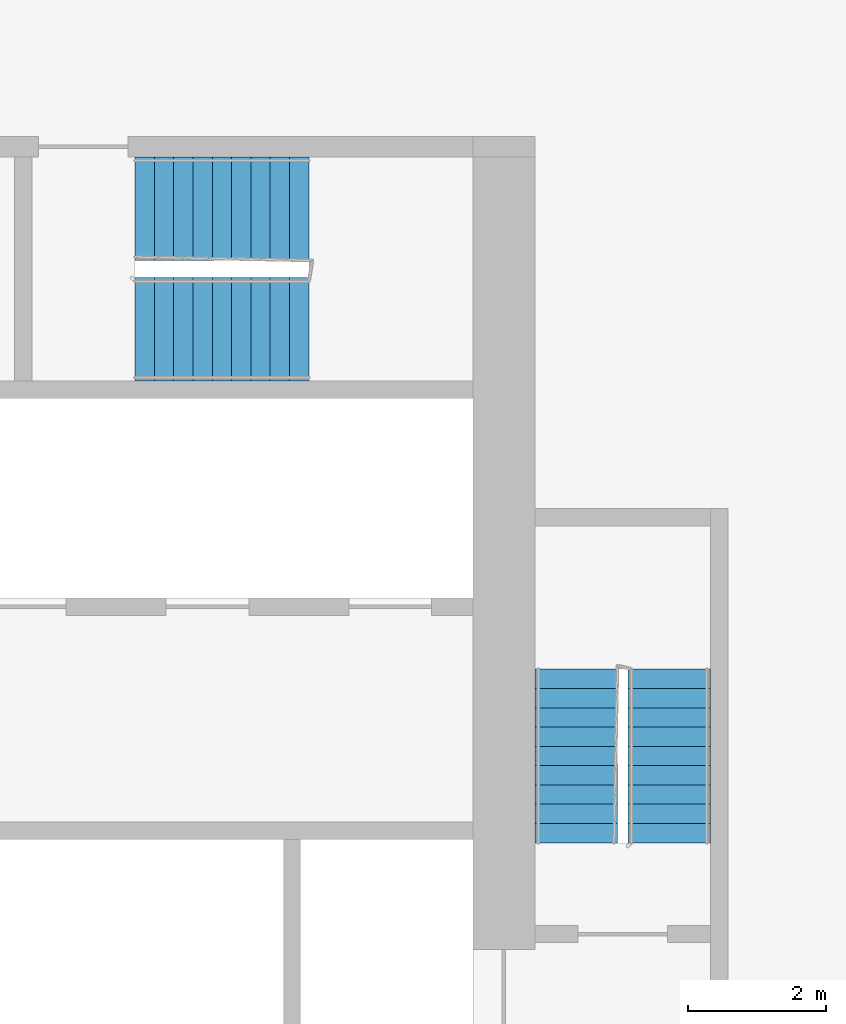
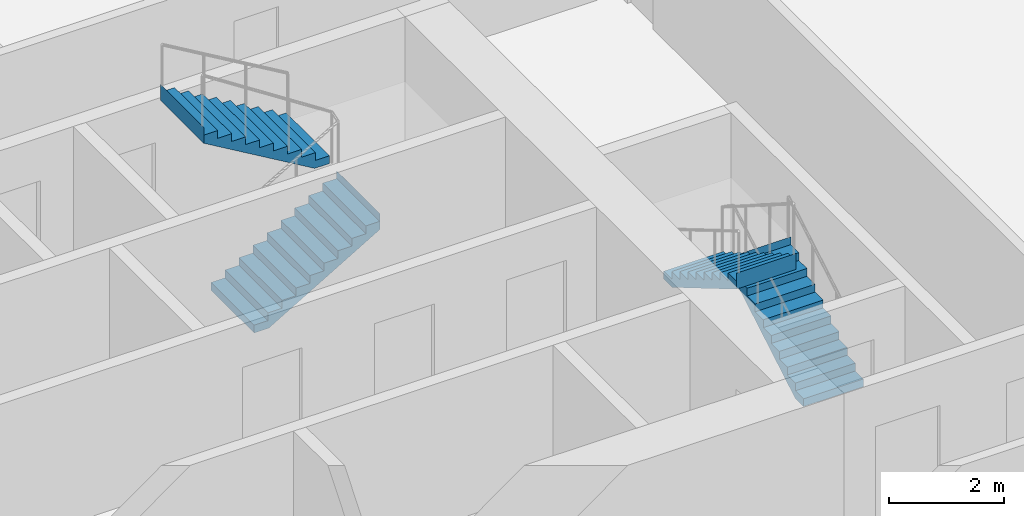
# One storey, part 11 of 13: 4 stair flights, 2 elements without a shape of their own.
"""IFC4 building model written with IfcOpenShell, lengths in metres."""

from ifc_helpers import new_model, si_unit, direction, frame, origin, place, context, subcontext, project, spatial, faceted_brep, material, type_object, element, aggregate, save


model = new_model("IFC4")

# Units and contexts
model_context = context("Model", 3, precision=1e-05, world=origin(), true_north=direction((0.0, 1.0)))
body_context = subcontext(model_context, "Body", "Model", "MODEL_VIEW")
ifc_project = project(units=[si_unit("LENGTHUNIT", "METRE"), si_unit("AREAUNIT", "SQUARE_METRE"), si_unit("VOLUMEUNIT", "CUBIC_METRE"), si_unit("PLANEANGLEUNIT", "RADIAN"), si_unit("MASSUNIT", "GRAM", prefix="KILO")], contexts=[model_context])

# Site, building, storey
site_placement = place(None, origin())
site = spatial("IfcSite", under=ifc_project, at=site_placement, CompositionType="ELEMENT")
building_placement = place(site_placement, origin())
building = spatial("IfcBuilding", under=site, at=building_placement, Name="Kajstack Hotel Tower", CompositionType="ELEMENT")
storey_placement = place(building_placement, frame((0.0, 0.0, 120.699951171875)))
storey = spatial("IfcBuildingStorey", under=building, at=storey_placement, Name="L26", CompositionType="ELEMENT", Elevation=120.699951171875)

# Stair, stair flights
ifc_material = material(Name="Concrete C40/50", Category="concrete")
stair_type_1 = type_object("IfcStairType", Name="Exit stair 1200", PredefinedType="HALF_TURN_STAIR", material=ifc_material)
stair_1_placement = place(storey_placement, origin())
stair_1 = element("IfcStair", 1, at=stair_1_placement, inside=storey, type_object=stair_type_1, Name="L26 stair E1", PredefinedType="HALF_TURN_STAIR")
stair_flight_type_1 = type_object("IfcStairFlightType", Name="Exit stair flight 1200", PredefinedType="STRAIGHT", material=ifc_material)
stair_flight_1_placement = place(storey_placement, frame((33.449951171875, 5.25, 0.0), z_axis=(0.0, 0.0, 1.0), x_axis=(0.0, 1.0, 0.0)))
stair_flight_1 = element("IfcStairFlight", 2, at=stair_flight_1_placement, type_object=stair_flight_type_1, Name="E1 flight 1", NumberOfRisers=10, NumberOfTreads=9, PredefinedType="STRAIGHT", RiserHeight=0.165, TreadLength=0.28, context=body_context, shape_type="Brep", body=[
    faceted_brep([(0.295654296875, -0.60009765625, 0.0), (2.5205078125, -0.60009765625, 1.31103515625), (2.5205078125, -0.60009765625, 1.64990234375), (2.52001953125, -0.60009765625, 1.64990234375), (2.52001953125, -0.60009765625, 1.485107421875), (2.239990234375, -0.60009765625, 1.485107421875), (2.239990234375, -0.60009765625, 1.320068359375), (1.9599609375, -0.60009765625, 1.320068359375), (1.9599609375, -0.60009765625, 1.155029296875), (1.679931640625, -0.60009765625, 1.155029296875), (1.679931640625, -0.60009765625, 0.989990234375), (1.39990234375, -0.60009765625, 0.989990234375), (1.39990234375, -0.60009765625, 0.824951171875), (1.1201171875, -0.60009765625, 0.824951171875), (1.1201171875, -0.60009765625, 0.659912109375), (0.840087890625, -0.60009765625, 0.659912109375), (0.840087890625, -0.60009765625, 0.4951171875), (0.56005859375, -0.60009765625, 0.4951171875), (0.56005859375, -0.60009765625, 0.330078125), (0.280029296875, -0.60009765625, 0.330078125), (0.280029296875, -0.60009765625, 0.1650390625), (-0.00048828125, -0.60009765625, 0.1650390625), (-0.00048828125, -0.60009765625, 0.0), (-0.00048828125, 0.60009765625, 0.0), (-0.00048828125, 0.60009765625, 0.1650390625), (0.280029296875, 0.60009765625, 0.1650390625), (0.280029296875, 0.60009765625, 0.330078125), (0.56005859375, 0.60009765625, 0.330078125), (0.56005859375, 0.60009765625, 0.4951171875), (0.840087890625, 0.60009765625, 0.4951171875), (0.840087890625, 0.60009765625, 0.659912109375), (1.1201171875, 0.60009765625, 0.659912109375), (1.1201171875, 0.60009765625, 0.824951171875), (1.39990234375, 0.60009765625, 0.824951171875), (1.39990234375, 0.60009765625, 0.989990234375), (1.679931640625, 0.60009765625, 0.989990234375), (1.679931640625, 0.60009765625, 1.155029296875), (1.9599609375, 0.60009765625, 1.155029296875), (1.9599609375, 0.60009765625, 1.320068359375), (2.239990234375, 0.60009765625, 1.320068359375), (2.239990234375, 0.60009765625, 1.485107421875), (2.52001953125, 0.60009765625, 1.485107421875), (2.52001953125, 0.60009765625, 1.64990234375), (2.5205078125, 0.60009765625, 1.64990234375), (2.5205078125, 0.60009765625, 1.31103515625), (0.295654296875, 0.60009765625, 0.0), (-0.00048828125, -0.300048828125, 0.1650390625), (-0.00048828125, 0.0, 0.1650390625), (-0.00048828125, 0.300048828125, 0.1650390625), (-0.00048828125, 0.300048828125, 0.0), (-0.00048828125, 0.0, 0.0), (-0.00048828125, -0.300048828125, 0.0), (0.280029296875, -0.300048828125, 0.1650390625), (0.280029296875, 0.0, 0.1650390625), (0.280029296875, 0.300048828125, 0.1650390625), (0.280029296875, -0.300048828125, 0.330078125), (0.280029296875, 0.0, 0.330078125), (0.280029296875, 0.300048828125, 0.330078125), (0.56005859375, -0.300048828125, 0.330078125), (0.56005859375, 0.0, 0.330078125), (0.56005859375, 0.300048828125, 0.330078125), (0.56005859375, -0.300048828125, 0.4951171875), (0.56005859375, 0.0, 0.4951171875), (0.56005859375, 0.300048828125, 0.4951171875), (0.840087890625, -0.300048828125, 0.4951171875), (0.840087890625, 0.0, 0.4951171875), (0.840087890625, 0.300048828125, 0.4951171875), (0.840087890625, -0.300048828125, 0.659912109375), (0.840087890625, 0.0, 0.659912109375), (0.840087890625, 0.300048828125, 0.659912109375), (1.1201171875, -0.300048828125, 0.659912109375), (1.1201171875, 0.0, 0.659912109375), (1.1201171875, 0.300048828125, 0.659912109375), (1.1201171875, -0.300048828125, 0.824951171875), (1.1201171875, 0.0, 0.824951171875), (1.1201171875, 0.300048828125, 0.824951171875), (1.39990234375, -0.300048828125, 0.824951171875), (1.39990234375, 0.0, 0.824951171875), (1.39990234375, 0.300048828125, 0.824951171875), (1.39990234375, -0.300048828125, 0.989990234375), (1.39990234375, 0.0, 0.989990234375), (1.39990234375, 0.300048828125, 0.989990234375), (1.679931640625, -0.300048828125, 0.989990234375), (1.679931640625, 0.0, 0.989990234375), (1.679931640625, 0.300048828125, 0.989990234375), (1.679931640625, -0.300048828125, 1.155029296875), (1.679931640625, 0.0, 1.155029296875), (1.679931640625, 0.300048828125, 1.155029296875), (1.9599609375, -0.300048828125, 1.155029296875), (1.9599609375, 0.0, 1.155029296875), (1.9599609375, 0.300048828125, 1.155029296875), (1.9599609375, -0.300048828125, 1.320068359375), (1.9599609375, 0.0, 1.320068359375), (1.9599609375, 0.300048828125, 1.320068359375), (2.239990234375, -0.300048828125, 1.320068359375), (2.239990234375, 0.0, 1.320068359375), (2.239990234375, 0.300048828125, 1.320068359375), (2.239990234375, -0.300048828125, 1.485107421875), (2.239990234375, 0.0, 1.485107421875), (2.239990234375, 0.300048828125, 1.485107421875), (2.52001953125, -0.300048828125, 1.485107421875), (2.52001953125, 0.0, 1.485107421875), (2.52001953125, 0.300048828125, 1.485107421875), (2.52001953125, -0.300048828125, 1.64990234375), (2.52001953125, 0.0, 1.64990234375), (2.52001953125, 0.300048828125, 1.64990234375), (2.5205078125, -0.300048828125, 1.64990234375), (2.5205078125, 0.0, 1.64990234375), (2.5205078125, 0.300048828125, 1.64990234375), (2.5205078125, -0.300048828125, 1.31103515625), (2.5205078125, 0.0, 1.31103515625), (2.5205078125, 0.300048828125, 1.31103515625), (0.295654296875, -0.300048828125, 0.0), (0.295654296875, 0.0, 0.0), (0.295654296875, 0.300048828125, 0.0)], [[[0, 1, 2, 3, 4, 5, 6, 7, 8, 9, 10, 11, 12, 13, 14, 15, 16, 17, 18, 19, 20, 21, 22]], [[23, 24, 25, 26, 27, 28, 29, 30, 31, 32, 33, 34, 35, 36, 37, 38, 39, 40, 41, 42, 43, 44, 45]], [[21, 46, 47, 48, 24, 23, 49, 50, 51, 22]], [[20, 52, 53, 54, 25, 24, 48, 47, 46, 21]], [[19, 55, 56, 57, 26, 25, 54, 53, 52, 20]], [[18, 58, 59, 60, 27, 26, 57, 56, 55, 19]], [[17, 61, 62, 63, 28, 27, 60, 59, 58, 18]], [[16, 64, 65, 66, 29, 28, 63, 62, 61, 17]], [[15, 67, 68, 69, 30, 29, 66, 65, 64, 16]], [[14, 70, 71, 72, 31, 30, 69, 68, 67, 15]], [[13, 73, 74, 75, 32, 31, 72, 71, 70, 14]], [[12, 76, 77, 78, 33, 32, 75, 74, 73, 13]], [[11, 79, 80, 81, 34, 33, 78, 77, 76, 12]], [[10, 82, 83, 84, 35, 34, 81, 80, 79, 11]], [[9, 85, 86, 87, 36, 35, 84, 83, 82, 10]], [[8, 88, 89, 90, 37, 36, 87, 86, 85, 9]], [[7, 91, 92, 93, 38, 37, 90, 89, 88, 8]], [[6, 94, 95, 96, 39, 38, 93, 92, 91, 7]], [[5, 97, 98, 99, 40, 39, 96, 95, 94, 6]], [[4, 100, 101, 102, 41, 40, 99, 98, 97, 5]], [[3, 103, 104, 105, 42, 41, 102, 101, 100, 4]], [[2, 106, 107, 108, 43, 42, 105, 104, 103, 3]], [[1, 109, 110, 111, 44, 43, 108, 107, 106, 2]], [[0, 112, 113, 114, 45, 44, 111, 110, 109, 1]], [[22, 51, 50, 49, 23, 45, 114, 113, 112, 0]]]),
])
stair_flight_2_placement = place(storey_placement, frame((32.10009765625, 7.77001953125, 1.650146484375), z_axis=(0.0, 0.0, 1.0), x_axis=(0.0, -1.0, 0.0)))
stair_flight_2 = element("IfcStairFlight", 3, at=stair_flight_2_placement, type_object=stair_flight_type_1, Name="E1 flight 2", NumberOfRisers=10, NumberOfTreads=9, PredefinedType="STRAIGHT", RiserHeight=0.165, TreadLength=0.28, context=body_context, shape_type="Brep", body=[
    faceted_brep([(0.295654296875, -0.60009765625, 0.0), (2.5205078125, -0.60009765625, 1.31103515625), (2.5205078125, -0.60009765625, 1.64990234375), (2.52001953125, -0.60009765625, 1.64990234375), (2.52001953125, -0.60009765625, 1.485107421875), (2.239990234375, -0.60009765625, 1.485107421875), (2.239990234375, -0.60009765625, 1.320068359375), (1.9599609375, -0.60009765625, 1.320068359375), (1.9599609375, -0.60009765625, 1.155029296875), (1.679931640625, -0.60009765625, 1.155029296875), (1.679931640625, -0.60009765625, 0.989990234375), (1.39990234375, -0.60009765625, 0.989990234375), (1.39990234375, -0.60009765625, 0.824951171875), (1.1201171875, -0.60009765625, 0.824951171875), (1.1201171875, -0.60009765625, 0.659912109375), (0.840087890625, -0.60009765625, 0.659912109375), (0.840087890625, -0.60009765625, 0.4951171875), (0.56005859375, -0.60009765625, 0.4951171875), (0.56005859375, -0.60009765625, 0.330078125), (0.280029296875, -0.60009765625, 0.330078125), (0.280029296875, -0.60009765625, 0.1650390625), (-0.00048828125, -0.60009765625, 0.1650390625), (-0.00048828125, -0.60009765625, 0.0), (-0.00048828125, 0.60009765625, 0.0), (-0.00048828125, 0.60009765625, 0.1650390625), (0.280029296875, 0.60009765625, 0.1650390625), (0.280029296875, 0.60009765625, 0.330078125), (0.56005859375, 0.60009765625, 0.330078125), (0.56005859375, 0.60009765625, 0.4951171875), (0.840087890625, 0.60009765625, 0.4951171875), (0.840087890625, 0.60009765625, 0.659912109375), (1.1201171875, 0.60009765625, 0.659912109375), (1.1201171875, 0.60009765625, 0.824951171875), (1.39990234375, 0.60009765625, 0.824951171875), (1.39990234375, 0.60009765625, 0.989990234375), (1.679931640625, 0.60009765625, 0.989990234375), (1.679931640625, 0.60009765625, 1.155029296875), (1.9599609375, 0.60009765625, 1.155029296875), (1.9599609375, 0.60009765625, 1.320068359375), (2.239990234375, 0.60009765625, 1.320068359375), (2.239990234375, 0.60009765625, 1.485107421875), (2.52001953125, 0.60009765625, 1.485107421875), (2.52001953125, 0.60009765625, 1.64990234375), (2.5205078125, 0.60009765625, 1.64990234375), (2.5205078125, 0.60009765625, 1.31103515625), (0.295654296875, 0.60009765625, 0.0), (-0.00048828125, -0.300048828125, 0.1650390625), (-0.00048828125, 0.0, 0.1650390625), (-0.00048828125, 0.300048828125, 0.1650390625), (-0.00048828125, 0.300048828125, 0.0), (-0.00048828125, 0.0, 0.0), (-0.00048828125, -0.300048828125, 0.0), (0.280029296875, -0.300048828125, 0.1650390625), (0.280029296875, 0.0, 0.1650390625), (0.280029296875, 0.300048828125, 0.1650390625), (0.280029296875, -0.300048828125, 0.330078125), (0.280029296875, 0.0, 0.330078125), (0.280029296875, 0.300048828125, 0.330078125), (0.56005859375, -0.300048828125, 0.330078125), (0.56005859375, 0.0, 0.330078125), (0.56005859375, 0.300048828125, 0.330078125), (0.56005859375, -0.300048828125, 0.4951171875), (0.56005859375, 0.0, 0.4951171875), (0.56005859375, 0.300048828125, 0.4951171875), (0.840087890625, -0.300048828125, 0.4951171875), (0.840087890625, 0.0, 0.4951171875), (0.840087890625, 0.300048828125, 0.4951171875), (0.840087890625, -0.300048828125, 0.659912109375), (0.840087890625, 0.0, 0.659912109375), (0.840087890625, 0.300048828125, 0.659912109375), (1.1201171875, -0.300048828125, 0.659912109375), (1.1201171875, 0.0, 0.659912109375), (1.1201171875, 0.300048828125, 0.659912109375), (1.1201171875, -0.300048828125, 0.824951171875), (1.1201171875, 0.0, 0.824951171875), (1.1201171875, 0.300048828125, 0.824951171875), (1.39990234375, -0.300048828125, 0.824951171875), (1.39990234375, 0.0, 0.824951171875), (1.39990234375, 0.300048828125, 0.824951171875), (1.39990234375, -0.300048828125, 0.989990234375), (1.39990234375, 0.0, 0.989990234375), (1.39990234375, 0.300048828125, 0.989990234375), (1.679931640625, -0.300048828125, 0.989990234375), (1.679931640625, 0.0, 0.989990234375), (1.679931640625, 0.300048828125, 0.989990234375), (1.679931640625, -0.300048828125, 1.155029296875), (1.679931640625, 0.0, 1.155029296875), (1.679931640625, 0.300048828125, 1.155029296875), (1.9599609375, -0.300048828125, 1.155029296875), (1.9599609375, 0.0, 1.155029296875), (1.9599609375, 0.300048828125, 1.155029296875), (1.9599609375, -0.300048828125, 1.320068359375), (1.9599609375, 0.0, 1.320068359375), (1.9599609375, 0.300048828125, 1.320068359375), (2.239990234375, -0.300048828125, 1.320068359375), (2.239990234375, 0.0, 1.320068359375), (2.239990234375, 0.300048828125, 1.320068359375), (2.239990234375, -0.300048828125, 1.485107421875), (2.239990234375, 0.0, 1.485107421875), (2.239990234375, 0.300048828125, 1.485107421875), (2.52001953125, -0.300048828125, 1.485107421875), (2.52001953125, 0.0, 1.485107421875), (2.52001953125, 0.300048828125, 1.485107421875), (2.52001953125, -0.300048828125, 1.64990234375), (2.52001953125, 0.0, 1.64990234375), (2.52001953125, 0.300048828125, 1.64990234375), (2.5205078125, -0.300048828125, 1.64990234375), (2.5205078125, 0.0, 1.64990234375), (2.5205078125, 0.300048828125, 1.64990234375), (2.5205078125, -0.300048828125, 1.31103515625), (2.5205078125, 0.0, 1.31103515625), (2.5205078125, 0.300048828125, 1.31103515625), (0.295654296875, -0.300048828125, 0.0), (0.295654296875, 0.0, 0.0), (0.295654296875, 0.300048828125, 0.0)], [[[0, 1, 2, 3, 4, 5, 6, 7, 8, 9, 10, 11, 12, 13, 14, 15, 16, 17, 18, 19, 20, 21, 22]], [[23, 24, 25, 26, 27, 28, 29, 30, 31, 32, 33, 34, 35, 36, 37, 38, 39, 40, 41, 42, 43, 44, 45]], [[21, 46, 47, 48, 24, 23, 49, 50, 51, 22]], [[20, 52, 53, 54, 25, 24, 48, 47, 46, 21]], [[19, 55, 56, 57, 26, 25, 54, 53, 52, 20]], [[18, 58, 59, 60, 27, 26, 57, 56, 55, 19]], [[17, 61, 62, 63, 28, 27, 60, 59, 58, 18]], [[16, 64, 65, 66, 29, 28, 63, 62, 61, 17]], [[15, 67, 68, 69, 30, 29, 66, 65, 64, 16]], [[14, 70, 71, 72, 31, 30, 69, 68, 67, 15]], [[13, 73, 74, 75, 32, 31, 72, 71, 70, 14]], [[12, 76, 77, 78, 33, 32, 75, 74, 73, 13]], [[11, 79, 80, 81, 34, 33, 78, 77, 76, 12]], [[10, 82, 83, 84, 35, 34, 81, 80, 79, 11]], [[9, 85, 86, 87, 36, 35, 84, 83, 82, 10]], [[8, 88, 89, 90, 37, 36, 87, 86, 85, 9]], [[7, 91, 92, 93, 38, 37, 90, 89, 88, 8]], [[6, 94, 95, 96, 39, 38, 93, 92, 91, 7]], [[5, 97, 98, 99, 40, 39, 96, 95, 94, 6]], [[4, 100, 101, 102, 41, 40, 99, 98, 97, 5]], [[3, 103, 104, 105, 42, 41, 102, 101, 100, 4]], [[2, 106, 107, 108, 43, 42, 105, 104, 103, 3]], [[1, 109, 110, 111, 44, 43, 108, 107, 106, 2]], [[0, 112, 113, 114, 45, 44, 111, 110, 109, 1]], [[22, 51, 50, 49, 23, 45, 114, 113, 112, 0]]]),
])
aggregate(stair_1, [stair_flight_1, stair_flight_2])

stair_type_2 = type_object("IfcStairType", Name="Exit stair 1500", PredefinedType="HALF_TURN_STAIR", material=ifc_material)
stair_2_placement = place(storey_placement, origin())
stair_2 = element("IfcStair", 4, at=stair_2_placement, inside=storey, type_object=stair_type_2, Name="L26 stair E3", PredefinedType="HALF_TURN_STAIR")
stair_flight_type_2 = type_object("IfcStairFlightType", Name="Exit stair flight 1500", PredefinedType="STRAIGHT", material=ifc_material)
stair_flight_3_placement = place(storey_placement, frame((25.699951171875, 12.699951171875, 0.0), z_axis=(0.0, 0.0, 1.0), x_axis=(1.0, 0.0, 0.0)))
stair_flight_3 = element("IfcStairFlight", 5, at=stair_flight_3_placement, type_object=stair_flight_type_2, Name="E3 flight 1", NumberOfRisers=10, NumberOfTreads=9, PredefinedType="STRAIGHT", RiserHeight=0.165, TreadLength=0.28, context=body_context, shape_type="Brep", body=[
    faceted_brep([(0.295654296875, -0.75, 0.0), (2.5205078125, -0.75, 1.31103515625), (2.5205078125, -0.75, 1.64990234375), (2.52001953125, -0.75, 1.64990234375), (2.52001953125, -0.75, 1.485107421875), (2.239990234375, -0.75, 1.485107421875), (2.239990234375, -0.75, 1.320068359375), (1.9599609375, -0.75, 1.320068359375), (1.9599609375, -0.75, 1.155029296875), (1.679931640625, -0.75, 1.155029296875), (1.679931640625, -0.75, 0.989990234375), (1.39990234375, -0.75, 0.989990234375), (1.39990234375, -0.75, 0.824951171875), (1.1201171875, -0.75, 0.824951171875), (1.1201171875, -0.75, 0.659912109375), (0.840087890625, -0.75, 0.659912109375), (0.840087890625, -0.75, 0.4951171875), (0.56005859375, -0.75, 0.4951171875), (0.56005859375, -0.75, 0.330078125), (0.280029296875, -0.75, 0.330078125), (0.280029296875, -0.75, 0.1650390625), (-0.00048828125, -0.75, 0.1650390625), (-0.00048828125, -0.75, 0.0), (-0.00048828125, 0.75, 0.0), (-0.00048828125, 0.75, 0.1650390625), (0.280029296875, 0.75, 0.1650390625), (0.280029296875, 0.75, 0.330078125), (0.56005859375, 0.75, 0.330078125), (0.56005859375, 0.75, 0.4951171875), (0.840087890625, 0.75, 0.4951171875), (0.840087890625, 0.75, 0.659912109375), (1.1201171875, 0.75, 0.659912109375), (1.1201171875, 0.75, 0.824951171875), (1.39990234375, 0.75, 0.824951171875), (1.39990234375, 0.75, 0.989990234375), (1.679931640625, 0.75, 0.989990234375), (1.679931640625, 0.75, 1.155029296875), (1.9599609375, 0.75, 1.155029296875), (1.9599609375, 0.75, 1.320068359375), (2.239990234375, 0.75, 1.320068359375), (2.239990234375, 0.75, 1.485107421875), (2.52001953125, 0.75, 1.485107421875), (2.52001953125, 0.75, 1.64990234375), (2.5205078125, 0.75, 1.64990234375), (2.5205078125, 0.75, 1.31103515625), (0.295654296875, 0.75, 0.0), (-0.00048828125, -0.375, 0.1650390625), (-0.00048828125, 0.0, 0.1650390625), (-0.00048828125, 0.375, 0.1650390625), (-0.00048828125, 0.375, 0.0), (-0.00048828125, 0.0, 0.0), (-0.00048828125, -0.375, 0.0), (0.280029296875, -0.375, 0.1650390625), (0.280029296875, 0.0, 0.1650390625), (0.280029296875, 0.375, 0.1650390625), (0.280029296875, -0.375, 0.330078125), (0.280029296875, 0.0, 0.330078125), (0.280029296875, 0.375, 0.330078125), (0.56005859375, -0.375, 0.330078125), (0.56005859375, 0.0, 0.330078125), (0.56005859375, 0.375, 0.330078125), (0.56005859375, -0.375, 0.4951171875), (0.56005859375, 0.0, 0.4951171875), (0.56005859375, 0.375, 0.4951171875), (0.840087890625, -0.375, 0.4951171875), (0.840087890625, 0.0, 0.4951171875), (0.840087890625, 0.375, 0.4951171875), (0.840087890625, -0.375, 0.659912109375), (0.840087890625, 0.0, 0.659912109375), (0.840087890625, 0.375, 0.659912109375), (1.1201171875, -0.375, 0.659912109375), (1.1201171875, 0.0, 0.659912109375), (1.1201171875, 0.375, 0.659912109375), (1.1201171875, -0.375, 0.824951171875), (1.1201171875, 0.0, 0.824951171875), (1.1201171875, 0.375, 0.824951171875), (1.39990234375, -0.375, 0.824951171875), (1.39990234375, 0.0, 0.824951171875), (1.39990234375, 0.375, 0.824951171875), (1.39990234375, -0.375, 0.989990234375), (1.39990234375, 0.0, 0.989990234375), (1.39990234375, 0.375, 0.989990234375), (1.679931640625, -0.375, 0.989990234375), (1.679931640625, 0.0, 0.989990234375), (1.679931640625, 0.375, 0.989990234375), (1.679931640625, -0.375, 1.155029296875), (1.679931640625, 0.0, 1.155029296875), (1.679931640625, 0.375, 1.155029296875), (1.9599609375, -0.375, 1.155029296875), (1.9599609375, 0.0, 1.155029296875), (1.9599609375, 0.375, 1.155029296875), (1.9599609375, -0.375, 1.320068359375), (1.9599609375, 0.0, 1.320068359375), (1.9599609375, 0.375, 1.320068359375), (2.239990234375, -0.375, 1.320068359375), (2.239990234375, 0.0, 1.320068359375), (2.239990234375, 0.375, 1.320068359375), (2.239990234375, -0.375, 1.485107421875), (2.239990234375, 0.0, 1.485107421875), (2.239990234375, 0.375, 1.485107421875), (2.52001953125, -0.375, 1.485107421875), (2.52001953125, 0.0, 1.485107421875), (2.52001953125, 0.375, 1.485107421875), (2.52001953125, -0.375, 1.64990234375), (2.52001953125, 0.0, 1.64990234375), (2.52001953125, 0.375, 1.64990234375), (2.5205078125, -0.375, 1.64990234375), (2.5205078125, 0.0, 1.64990234375), (2.5205078125, 0.375, 1.64990234375), (2.5205078125, -0.375, 1.31103515625), (2.5205078125, 0.0, 1.31103515625), (2.5205078125, 0.375, 1.31103515625), (0.295654296875, -0.375, 0.0), (0.295654296875, 0.0, 0.0), (0.295654296875, 0.375, 0.0)], [[[0, 1, 2, 3, 4, 5, 6, 7, 8, 9, 10, 11, 12, 13, 14, 15, 16, 17, 18, 19, 20, 21, 22]], [[23, 24, 25, 26, 27, 28, 29, 30, 31, 32, 33, 34, 35, 36, 37, 38, 39, 40, 41, 42, 43, 44, 45]], [[21, 46, 47, 48, 24, 23, 49, 50, 51, 22]], [[20, 52, 53, 54, 25, 24, 48, 47, 46, 21]], [[19, 55, 56, 57, 26, 25, 54, 53, 52, 20]], [[18, 58, 59, 60, 27, 26, 57, 56, 55, 19]], [[17, 61, 62, 63, 28, 27, 60, 59, 58, 18]], [[16, 64, 65, 66, 29, 28, 63, 62, 61, 17]], [[15, 67, 68, 69, 30, 29, 66, 65, 64, 16]], [[14, 70, 71, 72, 31, 30, 69, 68, 67, 15]], [[13, 73, 74, 75, 32, 31, 72, 71, 70, 14]], [[12, 76, 77, 78, 33, 32, 75, 74, 73, 13]], [[11, 79, 80, 81, 34, 33, 78, 77, 76, 12]], [[10, 82, 83, 84, 35, 34, 81, 80, 79, 11]], [[9, 85, 86, 87, 36, 35, 84, 83, 82, 10]], [[8, 88, 89, 90, 37, 36, 87, 86, 85, 9]], [[7, 91, 92, 93, 38, 37, 90, 89, 88, 8]], [[6, 94, 95, 96, 39, 38, 93, 92, 91, 7]], [[5, 97, 98, 99, 40, 39, 96, 95, 94, 6]], [[4, 100, 101, 102, 41, 40, 99, 98, 97, 5]], [[3, 103, 104, 105, 42, 41, 102, 101, 100, 4]], [[2, 106, 107, 108, 43, 42, 105, 104, 103, 3]], [[1, 109, 110, 111, 44, 43, 108, 107, 106, 2]], [[0, 112, 113, 114, 45, 44, 111, 110, 109, 1]], [[22, 51, 50, 49, 23, 45, 114, 113, 112, 0]]]),
])
stair_flight_4_placement = place(storey_placement, frame((28.219970703125, 14.449951171875, 1.650146484375), z_axis=(0.0, 0.0, 1.0), x_axis=(-1.0, 0.0, 0.0)))
stair_flight_4 = element("IfcStairFlight", 6, at=stair_flight_4_placement, type_object=stair_flight_type_2, Name="E3 flight 2", NumberOfRisers=10, NumberOfTreads=9, PredefinedType="STRAIGHT", RiserHeight=0.165, TreadLength=0.28, context=body_context, shape_type="Brep", body=[
    faceted_brep([(0.295654296875, -0.75, 0.0), (2.5205078125, -0.75, 1.31103515625), (2.5205078125, -0.75, 1.64990234375), (2.52001953125, -0.75, 1.64990234375), (2.52001953125, -0.75, 1.485107421875), (2.239990234375, -0.75, 1.485107421875), (2.239990234375, -0.75, 1.320068359375), (1.9599609375, -0.75, 1.320068359375), (1.9599609375, -0.75, 1.155029296875), (1.679931640625, -0.75, 1.155029296875), (1.679931640625, -0.75, 0.989990234375), (1.39990234375, -0.75, 0.989990234375), (1.39990234375, -0.75, 0.824951171875), (1.1201171875, -0.75, 0.824951171875), (1.1201171875, -0.75, 0.659912109375), (0.840087890625, -0.75, 0.659912109375), (0.840087890625, -0.75, 0.4951171875), (0.56005859375, -0.75, 0.4951171875), (0.56005859375, -0.75, 0.330078125), (0.280029296875, -0.75, 0.330078125), (0.280029296875, -0.75, 0.1650390625), (-0.00048828125, -0.75, 0.1650390625), (-0.00048828125, -0.75, 0.0), (-0.00048828125, 0.75, 0.0), (-0.00048828125, 0.75, 0.1650390625), (0.280029296875, 0.75, 0.1650390625), (0.280029296875, 0.75, 0.330078125), (0.56005859375, 0.75, 0.330078125), (0.56005859375, 0.75, 0.4951171875), (0.840087890625, 0.75, 0.4951171875), (0.840087890625, 0.75, 0.659912109375), (1.1201171875, 0.75, 0.659912109375), (1.1201171875, 0.75, 0.824951171875), (1.39990234375, 0.75, 0.824951171875), (1.39990234375, 0.75, 0.989990234375), (1.679931640625, 0.75, 0.989990234375), (1.679931640625, 0.75, 1.155029296875), (1.9599609375, 0.75, 1.155029296875), (1.9599609375, 0.75, 1.320068359375), (2.239990234375, 0.75, 1.320068359375), (2.239990234375, 0.75, 1.485107421875), (2.52001953125, 0.75, 1.485107421875), (2.52001953125, 0.75, 1.64990234375), (2.5205078125, 0.75, 1.64990234375), (2.5205078125, 0.75, 1.31103515625), (0.295654296875, 0.75, 0.0), (-0.00048828125, -0.375, 0.1650390625), (-0.00048828125, 0.0, 0.1650390625), (-0.00048828125, 0.375, 0.1650390625), (-0.00048828125, 0.375, 0.0), (-0.00048828125, 0.0, 0.0), (-0.00048828125, -0.375, 0.0), (0.280029296875, -0.375, 0.1650390625), (0.280029296875, 0.0, 0.1650390625), (0.280029296875, 0.375, 0.1650390625), (0.280029296875, -0.375, 0.330078125), (0.280029296875, 0.0, 0.330078125), (0.280029296875, 0.375, 0.330078125), (0.56005859375, -0.375, 0.330078125), (0.56005859375, 0.0, 0.330078125), (0.56005859375, 0.375, 0.330078125), (0.56005859375, -0.375, 0.4951171875), (0.56005859375, 0.0, 0.4951171875), (0.56005859375, 0.375, 0.4951171875), (0.840087890625, -0.375, 0.4951171875), (0.840087890625, 0.0, 0.4951171875), (0.840087890625, 0.375, 0.4951171875), (0.840087890625, -0.375, 0.659912109375), (0.840087890625, 0.0, 0.659912109375), (0.840087890625, 0.375, 0.659912109375), (1.1201171875, -0.375, 0.659912109375), (1.1201171875, 0.0, 0.659912109375), (1.1201171875, 0.375, 0.659912109375), (1.1201171875, -0.375, 0.824951171875), (1.1201171875, 0.0, 0.824951171875), (1.1201171875, 0.375, 0.824951171875), (1.39990234375, -0.375, 0.824951171875), (1.39990234375, 0.0, 0.824951171875), (1.39990234375, 0.375, 0.824951171875), (1.39990234375, -0.375, 0.989990234375), (1.39990234375, 0.0, 0.989990234375), (1.39990234375, 0.375, 0.989990234375), (1.679931640625, -0.375, 0.989990234375), (1.679931640625, 0.0, 0.989990234375), (1.679931640625, 0.375, 0.989990234375), (1.679931640625, -0.375, 1.155029296875), (1.679931640625, 0.0, 1.155029296875), (1.679931640625, 0.375, 1.155029296875), (1.9599609375, -0.375, 1.155029296875), (1.9599609375, 0.0, 1.155029296875), (1.9599609375, 0.375, 1.155029296875), (1.9599609375, -0.375, 1.320068359375), (1.9599609375, 0.0, 1.320068359375), (1.9599609375, 0.375, 1.320068359375), (2.239990234375, -0.375, 1.320068359375), (2.239990234375, 0.0, 1.320068359375), (2.239990234375, 0.375, 1.320068359375), (2.239990234375, -0.375, 1.485107421875), (2.239990234375, 0.0, 1.485107421875), (2.239990234375, 0.375, 1.485107421875), (2.52001953125, -0.375, 1.485107421875), (2.52001953125, 0.0, 1.485107421875), (2.52001953125, 0.375, 1.485107421875), (2.52001953125, -0.375, 1.64990234375), (2.52001953125, 0.0, 1.64990234375), (2.52001953125, 0.375, 1.64990234375), (2.5205078125, -0.375, 1.64990234375), (2.5205078125, 0.0, 1.64990234375), (2.5205078125, 0.375, 1.64990234375), (2.5205078125, -0.375, 1.31103515625), (2.5205078125, 0.0, 1.31103515625), (2.5205078125, 0.375, 1.31103515625), (0.295654296875, -0.375, 0.0), (0.295654296875, 0.0, 0.0), (0.295654296875, 0.375, 0.0)], [[[0, 1, 2, 3, 4, 5, 6, 7, 8, 9, 10, 11, 12, 13, 14, 15, 16, 17, 18, 19, 20, 21, 22]], [[23, 24, 25, 26, 27, 28, 29, 30, 31, 32, 33, 34, 35, 36, 37, 38, 39, 40, 41, 42, 43, 44, 45]], [[21, 46, 47, 48, 24, 23, 49, 50, 51, 22]], [[20, 52, 53, 54, 25, 24, 48, 47, 46, 21]], [[19, 55, 56, 57, 26, 25, 54, 53, 52, 20]], [[18, 58, 59, 60, 27, 26, 57, 56, 55, 19]], [[17, 61, 62, 63, 28, 27, 60, 59, 58, 18]], [[16, 64, 65, 66, 29, 28, 63, 62, 61, 17]], [[15, 67, 68, 69, 30, 29, 66, 65, 64, 16]], [[14, 70, 71, 72, 31, 30, 69, 68, 67, 15]], [[13, 73, 74, 75, 32, 31, 72, 71, 70, 14]], [[12, 76, 77, 78, 33, 32, 75, 74, 73, 13]], [[11, 79, 80, 81, 34, 33, 78, 77, 76, 12]], [[10, 82, 83, 84, 35, 34, 81, 80, 79, 11]], [[9, 85, 86, 87, 36, 35, 84, 83, 82, 10]], [[8, 88, 89, 90, 37, 36, 87, 86, 85, 9]], [[7, 91, 92, 93, 38, 37, 90, 89, 88, 8]], [[6, 94, 95, 96, 39, 38, 93, 92, 91, 7]], [[5, 97, 98, 99, 40, 39, 96, 95, 94, 6]], [[4, 100, 101, 102, 41, 40, 99, 98, 97, 5]], [[3, 103, 104, 105, 42, 41, 102, 101, 100, 4]], [[2, 106, 107, 108, 43, 42, 105, 104, 103, 3]], [[1, 109, 110, 111, 44, 43, 108, 107, 106, 2]], [[0, 112, 113, 114, 45, 44, 111, 110, 109, 1]], [[22, 51, 50, 49, 23, 45, 114, 113, 112, 0]]]),
])
aggregate(stair_2, [stair_flight_3, stair_flight_4])

save(model, "model.ifc")
